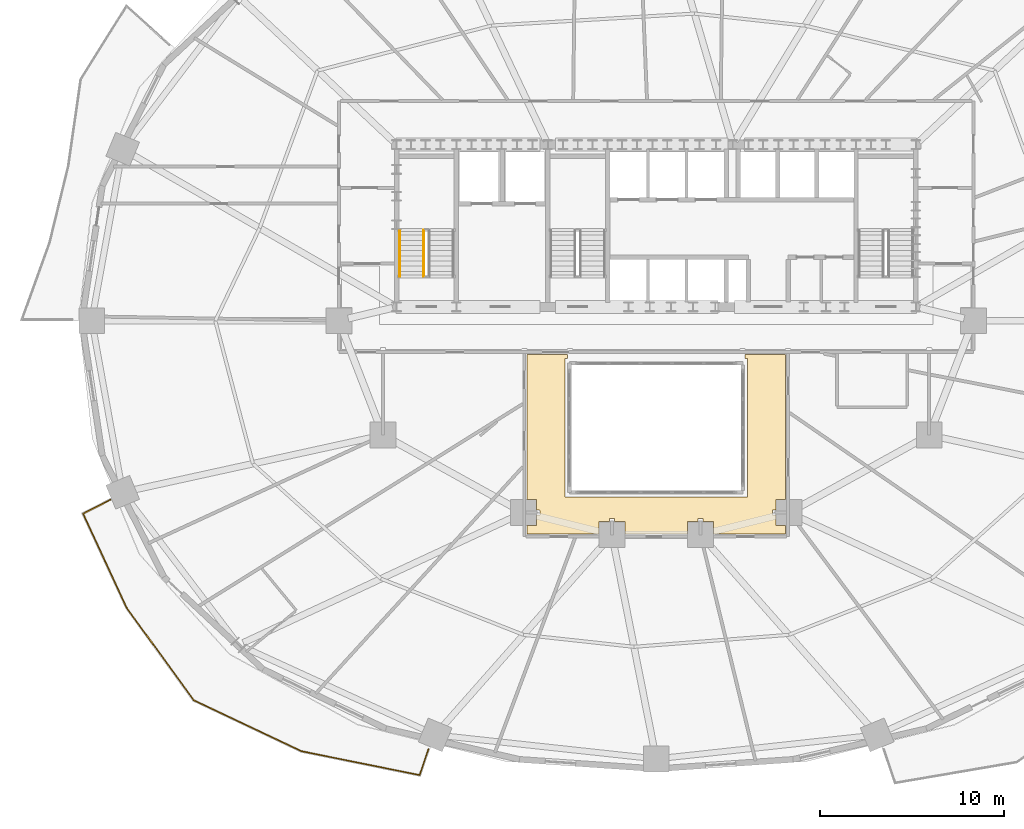
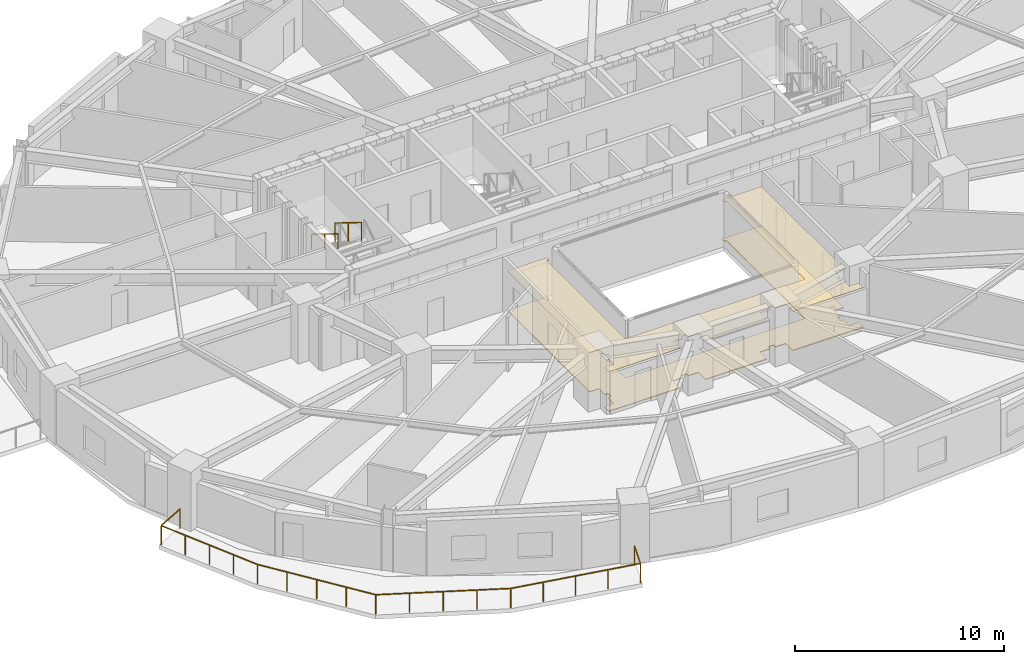
# One storey, part 13 of 16: 3 railings, 2 coverings.
"""IFC4 building model written with IfcOpenShell, lengths in metres."""

import ifcopenshell
import ifcopenshell.guid

model = None  # the IFC model being written
_history = None  # IfcOwnerHistory: only IFC2X3 demands one
_inside = {}  # id of a spatial element -> (the spatial element, [elements in it])
_under = {}  # id of a project, library or spatial element -> (it, [spatial elements below it])
_declared = {}  # id of a project -> (the project, [libraries it declares])
_typed = {}  # id of a type object -> (the type object, [elements of that type])
_made_of = {}  # id of a material, layer set ... -> (it, [elements and type objects made of it])


def new_model(schema):
    """Start an empty IFC model of exactly this schema.

    Asked for "IFC4X3", IfcOpenShell would pick the latest addendum, in which some entities
    have other attributes; the version numbers below select the first issue.
    IFC2X3 requires an IfcOwnerHistory on every rooted entity: one is made here for all.
    """
    global model, _history
    if schema == "IFC4X3":
        model = ifcopenshell.file(schema_version=(4, 3, 0, 0))
    else:
        model = ifcopenshell.file(schema=schema)
    _inside.clear()
    _under.clear()
    _declared.clear()
    _typed.clear()
    _made_of.clear()
    _history = None
    if model.schema == "IFC2X3":
        org = make("IfcOrganization", Name="unknown")
        user = make(
            "IfcPersonAndOrganization",
            ThePerson=make("IfcPerson", FamilyName="unknown"),
            TheOrganization=org,
        )
        app = make(
            "IfcApplication",
            ApplicationDeveloper=org,
            Version="unknown",
            ApplicationFullName="unknown",
            ApplicationIdentifier="unknown",
        )
        _history = make(
            "IfcOwnerHistory",
            OwningUser=user,
            OwningApplication=app,
            ChangeAction="ADDED",
            CreationDate=0,
        )
    return model


def make(cls, **values):
    """One entity of the class cls with the attributes given. An attribute that is None is left unset."""
    return model.create_entity(
        cls, **{name: value for name, value in values.items() if value is not None}
    )


def rooted(cls, **values):
    """An entity with a GlobalId (a new one), such as an element, a storey or a relation."""
    return make(cls, GlobalId=ifcopenshell.guid.new(), OwnerHistory=_history, **values)


def si_unit(unit_type, name, prefix=None):
    """IfcSIUnit, for example si_unit("LENGTHUNIT", "METRE", prefix="MILLI")."""
    return make("IfcSIUnit", UnitType=unit_type, Prefix=prefix, Name=name)


def assignment(units):
    """IfcUnitAssignment: the units of a project."""
    return None if units is None else make("IfcUnitAssignment", Units=units)


def point(xyz):
    """IfcCartesianPoint."""
    return None if xyz is None else make("IfcCartesianPoint", Coordinates=xyz)


def direction(xyz):
    """IfcDirection."""
    return None if xyz is None else make("IfcDirection", DirectionRatios=xyz)


def frame(location, z_axis=None, x_axis=None):
    """IfcAxis2Placement3D, a coordinate frame: its origin and axes. An axis left out is left unset."""
    return make(
        "IfcAxis2Placement3D",
        Location=point(location),
        Axis=direction(z_axis),
        RefDirection=direction(x_axis),
    )


def frame_2d(location, x_axis=None):
    """IfcAxis2Placement2D, a coordinate frame in the plane: its origin and x axis."""
    return make(
        "IfcAxis2Placement2D", Location=point(location), RefDirection=direction(x_axis)
    )


def origin():
    """The frame at (0, 0, 0) with its axes left unset."""
    return frame((0.0, 0.0, 0.0))


def origin_2d():
    """The frame at (0, 0) in the plane with its x axis left unset."""
    return frame_2d((0.0, 0.0))


def place(relative_to, where):
    """IfcLocalPlacement: puts the frame where relative to a parent placement (None: the world)."""
    return make(
        "IfcLocalPlacement", PlacementRelTo=relative_to, RelativePlacement=where
    )


def context(
    kind, dimensions, precision=None, world=None, true_north=None, identifier=None
):
    """IfcGeometricRepresentationContext, for example the 3D "Model" context."""
    return make(
        "IfcGeometricRepresentationContext",
        ContextIdentifier=identifier,
        ContextType=kind,
        CoordinateSpaceDimension=dimensions,
        Precision=precision,
        WorldCoordinateSystem=world,
        TrueNorth=true_north,
    )


def subcontext(parent, identifier, kind, view, scale=None):
    """IfcGeometricRepresentationSubContext, for example "Body" below "Model"."""
    return make(
        "IfcGeometricRepresentationSubContext",
        ContextIdentifier=identifier,
        ContextType=kind,
        ParentContext=parent,
        TargetScale=scale,
        TargetView=view,
    )


def project(units=None, contexts=None):
    """IfcProject with its units and contexts."""
    return rooted(
        "IfcProject",
        Name="project",
        RepresentationContexts=contexts,
        UnitsInContext=assignment(units),
    )


def spatial(cls, under=None, at=None, **own):
    """A site, building, storey or space (cls), placed at a placement, below another one or the project."""
    s = rooted(cls, ObjectPlacement=at, **own)
    if under is not None:
        _under.setdefault(under.id(), (under, []))[1].append(s)
    return s


def polyline(points):
    """IfcPolyline through the points."""
    return make("IfcPolyline", Points=[point(p) for p in points])


def profile(cls, at=None, kind="AREA", **sizes):
    """A parametric profile (cls). Its sizes go by their IFC names, for example OverallWidth=200.0."""
    return make(cls, ProfileType=kind, Position=at, **sizes)


def rectangle(**sizes):
    """IfcRectangleProfileDef."""
    return profile("IfcRectangleProfileDef", **sizes)


def outline(outer, holes=None, kind="AREA"):
    """IfcArbitraryClosedProfileDef: a profile drawn as a closed curve; with holes, ...WithVoids."""
    if holes is None:
        return make("IfcArbitraryClosedProfileDef", ProfileType=kind, OuterCurve=outer)
    return make(
        "IfcArbitraryProfileDefWithVoids",
        ProfileType=kind,
        OuterCurve=outer,
        InnerCurves=holes,
    )


def extrude(swept, where, along, depth):
    """IfcExtrudedAreaSolid: the profile swept, set in the frame where, extruded along a direction by depth."""
    return make(
        "IfcExtrudedAreaSolid",
        SweptArea=swept,
        Position=where,
        ExtrudedDirection=direction(along),
        Depth=depth,
    )


def shape(context_of_items, identifier, shape_type, items):
    """IfcShapeRepresentation: the items that make up one representation, for example the "Body"."""
    return make(
        "IfcShapeRepresentation",
        ContextOfItems=context_of_items,
        RepresentationIdentifier=identifier,
        RepresentationType=shape_type,
        Items=items,
    )


def material(Name=None, Category=None):
    """IfcMaterial."""
    return make("IfcMaterial", Name=Name, Category=Category)


def layer(
    of_material, thickness, ventilated=None, Name=None, Category=None, Priority=None
):
    """IfcMaterialLayer: one layer of a wall or slab, of a material (None: an air gap)."""
    return make(
        "IfcMaterialLayer",
        Material=of_material,
        LayerThickness=thickness,
        IsVentilated=ventilated,
        Name=Name,
        Category=Category,
        Priority=Priority,
    )


def layer_set(layers, Name=None):
    """IfcMaterialLayerSet."""
    return make("IfcMaterialLayerSet", MaterialLayers=layers, LayerSetName=Name)


def made_of(thing, what):
    """Note that an element or type object is made of a material, layer set ...; save() writes the relation."""
    if what is not None:
        _made_of.setdefault(what.id(), (what, []))[1].append(thing)
    return thing


def type_object(cls, material=None, **own):
    """A type object (cls), such as IfcWallType, which elements share."""
    return made_of(rooted(cls, **own), material)


def element(
    cls,
    number,
    at=None,
    inside=None,
    cuts=None,
    type_object=None,
    material=None,
    context=None,
    identifier="Body",
    shape_type=None,
    held_by="IfcProductDefinitionShape",
    body=None,
    shapes=None,
    **own,
):
    """One element of the class cls, such as IfcWall. Its Tag is "e" and its number.

    at: its placement. inside: the storey or other place that contains it. cuts: it is an
    opening in that element (IfcRelVoidsElement). A single representation is given by context,
    identifier, shape_type and body (its items); several are given by shapes. held_by: the class
    of the entity that holds the representations. save() writes the other relations.
    """
    e = rooted(cls, Tag="e%d" % number, ObjectPlacement=at, **own)
    if body is not None:
        shapes = [shape(context, identifier, shape_type, body)]
    if shapes is not None:
        e.Representation = make(held_by, Representations=shapes)
    if inside is not None:
        _inside.setdefault(inside.id(), (inside, []))[1].append(e)
    if cuts is not None:
        rooted(
            "IfcRelVoidsElement", RelatingBuildingElement=cuts, RelatedOpeningElement=e
        )
    if type_object is not None:
        _typed.setdefault(type_object.id(), (type_object, []))[1].append(e)
    return made_of(e, material)


def aggregate(whole, parts):
    """IfcRelAggregates: a whole, such as a stair, and the parts it consists of."""
    return rooted("IfcRelAggregates", RelatingObject=whole, RelatedObjects=parts)


def save(model, path):
    """Write the relations noted so far, then the file.

    IfcRelAggregates (storeys below a building ...), IfcRelContainedInSpatialStructure (elements
    in a storey), IfcRelDefinesByType, IfcRelAssociatesMaterial and IfcRelDeclares: one each for
    every whole, place, type object, material and project.
    """
    for whole, parts in _under.values():
        aggregate(whole, parts)
    for where, things in _inside.values():
        rooted(
            "IfcRelContainedInSpatialStructure",
            RelatedElements=things,
            RelatingStructure=where,
        )
    for kind, things in _typed.values():
        rooted("IfcRelDefinesByType", RelatedObjects=things, RelatingType=kind)
    for what, things in _made_of.values():
        rooted("IfcRelAssociatesMaterial", RelatedObjects=things, RelatingMaterial=what)
    for by, libraries in _declared.values():
        rooted("IfcRelDeclares", RelatingContext=by, RelatedDefinitions=libraries)
    model.write(path)


model = new_model("IFC4")

# Units and contexts
model_context = context("Model", 3, precision=1e-05, world=origin(), true_north=direction((0.0, 1.0)))
body_context = subcontext(model_context, "Body", "Model", "MODEL_VIEW")
ifc_project = project(units=[si_unit("LENGTHUNIT", "METRE"), si_unit("AREAUNIT", "SQUARE_METRE"), si_unit("VOLUMEUNIT", "CUBIC_METRE"), si_unit("PLANEANGLEUNIT", "RADIAN"), si_unit("MASSUNIT", "GRAM", prefix="KILO")], contexts=[model_context])

# Site, building, storey
site_placement = place(None, origin())
site = spatial("IfcSite", under=ifc_project, at=site_placement, CompositionType="ELEMENT")
building_placement = place(site_placement, origin())
building = spatial("IfcBuilding", under=site, at=building_placement, Name="Haldorwick Loom Tower", CompositionType="ELEMENT")
storey_placement = place(building_placement, frame((0.0, 0.0, 68.85009765625)))
storey = spatial("IfcBuildingStorey", under=building, at=storey_placement, Name="L18", CompositionType="ELEMENT", Elevation=68.85009765625)

# Coverings
ifc_material_1 = material(Name="Mineral Fibre Acoustic Ceiling Tile")
ifc_layer_1 = layer(ifc_material_1, 0.054931640625, Name="Mineral Fibre Acoustic Ceiling Tile")
ifc_layer_set_1 = layer_set([ifc_layer_1], Name="Mineral Fibre Acoustic Ceiling Tile")
covering_type_1 = type_object("IfcCoveringType", Name="ARC-COV-CEIL2", PredefinedType="CEILING", material=ifc_layer_set_1)
covering_1_placement = place(storey_placement, frame((0.0, 0.0, 2.281982421875)))
element("IfcCovering", 1, at=covering_1_placement, inside=storey, type_object=covering_type_1, Name="L18 Acoustic Suspended Ceiling 1", PredefinedType="CEILING", context=body_context, shape_type="SweptSolid", body=[
    extrude(outline(polyline([(40.820068359375, 24.159912109375), (40.820068359375, 23.949951171875), (40.949951171875, 23.949951171875), (40.949951171875, 16.449951171875), (31.050048828125, 16.449951171875), (31.050048828125, 23.949951171875), (31.179931640625, 23.949951171875), (31.179931640625, 24.159912109375), (28.989990234375, 24.159912109375), (28.989990234375, 16.30810546875), (29.508056640625, 16.30810546875), (29.508056640625, 15.739990234375), (29.669921875, 15.739990234375), (29.672119140625, 15.739990234375), (29.673828125, 15.739501953125), (29.67578125, 15.739013671875), (29.677734375, 15.738525390625), (29.679443359375, 15.737548828125), (29.68115234375, 15.736572265625), (29.6826171875, 15.735595703125), (29.68408203125, 15.734130859375), (29.685546875, 15.732666015625), (29.6865234375, 15.731201171875), (29.6875, 15.7294921875), (29.6884765625, 15.727783203125), (29.689208984375, 15.725830078125), (29.689697265625, 15.723876953125), (29.68994140625, 15.721923828125), (29.68994140625, 15.719970703125), (29.68994140625, 15.47998046875), (29.68994140625, 15.47802734375), (29.689697265625, 15.47607421875), (29.689208984375, 15.47412109375), (29.6884765625, 15.472412109375), (29.6875, 15.470703125), (29.6865234375, 15.468994140625), (29.685546875, 15.46728515625), (29.68408203125, 15.4658203125), (29.6826171875, 15.464599609375), (29.68115234375, 15.46337890625), (29.679443359375, 15.46240234375), (29.677734375, 15.46142578125), (29.67578125, 15.4609375), (29.673828125, 15.46044921875), (29.672119140625, 15.460205078125), (29.669921875, 15.4599609375), (29.508056640625, 15.4599609375), (29.508056640625, 14.89208984375), (28.989990234375, 14.89208984375), (28.989990234375, 14.43994140625), (32.89208984375, 14.43994140625), (32.89208984375, 15.10791015625), (33.4599609375, 15.10791015625), (33.4599609375, 15.27001953125), (33.460205078125, 15.27197265625), (33.46044921875, 15.27392578125), (33.4609375, 15.27587890625), (33.46142578125, 15.277587890625), (33.46240234375, 15.279296875), (33.46337890625, 15.281005859375), (33.464599609375, 15.28271484375), (33.4658203125, 15.2841796875), (33.46728515625, 15.285400390625), (33.468994140625, 15.28662109375), (33.470703125, 15.28759765625), (33.472412109375, 15.28857421875), (33.47412109375, 15.2890625), (33.47607421875, 15.28955078125), (33.47802734375, 15.289794921875), (33.47998046875, 15.2900390625), (33.719970703125, 15.2900390625), (33.721923828125, 15.289794921875), (33.723876953125, 15.28955078125), (33.725830078125, 15.2890625), (33.727783203125, 15.28857421875), (33.7294921875, 15.28759765625), (33.731201171875, 15.28662109375), (33.732666015625, 15.285400390625), (33.734130859375, 15.2841796875), (33.735595703125, 15.28271484375), (33.736572265625, 15.281005859375), (33.737548828125, 15.279296875), (33.738525390625, 15.277587890625), (33.739013671875, 15.27587890625), (33.739501953125, 15.27392578125), (33.739990234375, 15.27197265625), (33.739990234375, 15.27001953125), (33.739990234375, 15.10791015625), (34.30810546875, 15.10791015625), (34.30810546875, 14.43994140625), (37.69189453125, 14.43994140625), (37.69189453125, 15.10791015625), (38.260009765625, 15.10791015625), (38.260009765625, 15.27001953125), (38.260009765625, 15.27197265625), (38.260498046875, 15.27392578125), (38.260986328125, 15.27587890625), (38.261474609375, 15.277587890625), (38.262451171875, 15.279296875), (38.263427734375, 15.281005859375), (38.264404296875, 15.28271484375), (38.265869140625, 15.2841796875), (38.267333984375, 15.285400390625), (38.268798828125, 15.28662109375), (38.2705078125, 15.28759765625), (38.272216796875, 15.28857421875), (38.274169921875, 15.2890625), (38.276123046875, 15.28955078125), (38.278076171875, 15.289794921875), (38.280029296875, 15.2900390625), (38.52001953125, 15.2900390625), (38.52197265625, 15.289794921875), (38.52392578125, 15.28955078125), (38.52587890625, 15.2890625), (38.527587890625, 15.28857421875), (38.529296875, 15.28759765625), (38.531005859375, 15.28662109375), (38.53271484375, 15.285400390625), (38.5341796875, 15.2841796875), (38.535400390625, 15.28271484375), (38.53662109375, 15.281005859375), (38.53759765625, 15.279296875), (38.53857421875, 15.277587890625), (38.5390625, 15.27587890625), (38.53955078125, 15.27392578125), (38.539794921875, 15.27197265625), (38.5400390625, 15.27001953125), (38.5400390625, 15.10791015625), (39.10791015625, 15.10791015625), (39.10791015625, 14.43994140625), (43.010009765625, 14.43994140625), (43.010009765625, 14.89208984375), (42.491943359375, 14.89208984375), (42.491943359375, 15.4599609375), (42.330078125, 15.4599609375), (42.327880859375, 15.460205078125), (42.326171875, 15.46044921875), (42.32421875, 15.4609375), (42.322265625, 15.46142578125), (42.320556640625, 15.46240234375), (42.31884765625, 15.46337890625), (42.3173828125, 15.464599609375), (42.31591796875, 15.4658203125), (42.314453125, 15.46728515625), (42.3134765625, 15.468994140625), (42.3125, 15.470703125), (42.3115234375, 15.472412109375), (42.310791015625, 15.47412109375), (42.310302734375, 15.47607421875), (42.31005859375, 15.47802734375), (42.31005859375, 15.47998046875), (42.31005859375, 15.719970703125), (42.31005859375, 15.721923828125), (42.310302734375, 15.723876953125), (42.310791015625, 15.725830078125), (42.3115234375, 15.727783203125), (42.3125, 15.7294921875), (42.3134765625, 15.731201171875), (42.314453125, 15.732666015625), (42.31591796875, 15.734130859375), (42.3173828125, 15.735595703125), (42.31884765625, 15.736572265625), (42.320556640625, 15.737548828125), (42.322265625, 15.738525390625), (42.32421875, 15.739013671875), (42.326171875, 15.739501953125), (42.327880859375, 15.739990234375), (42.330078125, 15.739990234375), (42.491943359375, 15.739990234375), (42.491943359375, 16.30810546875), (43.010009765625, 16.30810546875), (43.010009765625, 24.159912109375), (40.820068359375, 24.159912109375)])), origin(), (0.0, 0.0, 1.0), 0.054931640625),
])
ifc_material_2 = material(Name="Polished Aggregate Terrazzo Finish")
ifc_layer_2 = layer(ifc_material_2, 0.044921875, Name="Polished Aggregate Terrazzo Finish")
ifc_layer_set_2 = layer_set([ifc_layer_2], Name="Polished Aggregate Terrazzo Finish")
covering_type_2 = type_object("IfcCoveringType", Name="ARC-COV-FLOOR2", PredefinedType="FLOORING", material=ifc_layer_set_2)
covering_2_placement = place(storey_placement, origin())
element("IfcCovering", 2, at=covering_2_placement, inside=storey, type_object=covering_type_2, Name="L18 Floor Finish 1", PredefinedType="FLOORING", context=body_context, shape_type="SweptSolid", body=[
    extrude(outline(polyline([(40.820068359375, 24.159912109375), (40.820068359375, 23.949951171875), (40.949951171875, 23.949951171875), (40.949951171875, 16.449951171875), (31.050048828125, 16.449951171875), (31.050048828125, 23.949951171875), (31.179931640625, 23.949951171875), (31.179931640625, 24.159912109375), (28.989990234375, 24.159912109375), (28.989990234375, 16.30810546875), (29.508056640625, 16.30810546875), (29.508056640625, 15.739990234375), (29.669921875, 15.739990234375), (29.672119140625, 15.739990234375), (29.673828125, 15.739501953125), (29.67578125, 15.739013671875), (29.677734375, 15.738525390625), (29.679443359375, 15.737548828125), (29.68115234375, 15.736572265625), (29.6826171875, 15.735595703125), (29.68408203125, 15.734130859375), (29.685546875, 15.732666015625), (29.6865234375, 15.731201171875), (29.6875, 15.7294921875), (29.6884765625, 15.727783203125), (29.689208984375, 15.725830078125), (29.689697265625, 15.723876953125), (29.68994140625, 15.721923828125), (29.68994140625, 15.719970703125), (29.68994140625, 15.47998046875), (29.68994140625, 15.47802734375), (29.689697265625, 15.47607421875), (29.689208984375, 15.47412109375), (29.6884765625, 15.472412109375), (29.6875, 15.470703125), (29.6865234375, 15.468994140625), (29.685546875, 15.46728515625), (29.68408203125, 15.4658203125), (29.6826171875, 15.464599609375), (29.68115234375, 15.46337890625), (29.679443359375, 15.46240234375), (29.677734375, 15.46142578125), (29.67578125, 15.4609375), (29.673828125, 15.46044921875), (29.672119140625, 15.460205078125), (29.669921875, 15.4599609375), (29.508056640625, 15.4599609375), (29.508056640625, 14.89208984375), (28.989990234375, 14.89208984375), (28.989990234375, 14.43994140625), (32.89208984375, 14.43994140625), (32.89208984375, 15.10791015625), (33.4599609375, 15.10791015625), (33.4599609375, 15.27001953125), (33.460205078125, 15.27197265625), (33.46044921875, 15.27392578125), (33.4609375, 15.27587890625), (33.46142578125, 15.277587890625), (33.46240234375, 15.279296875), (33.46337890625, 15.281005859375), (33.464599609375, 15.28271484375), (33.4658203125, 15.2841796875), (33.46728515625, 15.285400390625), (33.468994140625, 15.28662109375), (33.470703125, 15.28759765625), (33.472412109375, 15.28857421875), (33.47412109375, 15.2890625), (33.47607421875, 15.28955078125), (33.47802734375, 15.289794921875), (33.47998046875, 15.2900390625), (33.719970703125, 15.2900390625), (33.721923828125, 15.289794921875), (33.723876953125, 15.28955078125), (33.725830078125, 15.2890625), (33.727783203125, 15.28857421875), (33.7294921875, 15.28759765625), (33.731201171875, 15.28662109375), (33.732666015625, 15.285400390625), (33.734130859375, 15.2841796875), (33.735595703125, 15.28271484375), (33.736572265625, 15.281005859375), (33.737548828125, 15.279296875), (33.738525390625, 15.277587890625), (33.739013671875, 15.27587890625), (33.739501953125, 15.27392578125), (33.739990234375, 15.27197265625), (33.739990234375, 15.27001953125), (33.739990234375, 15.10791015625), (34.30810546875, 15.10791015625), (34.30810546875, 14.43994140625), (37.69189453125, 14.43994140625), (37.69189453125, 15.10791015625), (38.260009765625, 15.10791015625), (38.260009765625, 15.27001953125), (38.260009765625, 15.27197265625), (38.260498046875, 15.27392578125), (38.260986328125, 15.27587890625), (38.261474609375, 15.277587890625), (38.262451171875, 15.279296875), (38.263427734375, 15.281005859375), (38.264404296875, 15.28271484375), (38.265869140625, 15.2841796875), (38.267333984375, 15.285400390625), (38.268798828125, 15.28662109375), (38.2705078125, 15.28759765625), (38.272216796875, 15.28857421875), (38.274169921875, 15.2890625), (38.276123046875, 15.28955078125), (38.278076171875, 15.289794921875), (38.280029296875, 15.2900390625), (38.52001953125, 15.2900390625), (38.52197265625, 15.289794921875), (38.52392578125, 15.28955078125), (38.52587890625, 15.2890625), (38.527587890625, 15.28857421875), (38.529296875, 15.28759765625), (38.531005859375, 15.28662109375), (38.53271484375, 15.285400390625), (38.5341796875, 15.2841796875), (38.535400390625, 15.28271484375), (38.53662109375, 15.281005859375), (38.53759765625, 15.279296875), (38.53857421875, 15.277587890625), (38.5390625, 15.27587890625), (38.53955078125, 15.27392578125), (38.539794921875, 15.27197265625), (38.5400390625, 15.27001953125), (38.5400390625, 15.10791015625), (39.10791015625, 15.10791015625), (39.10791015625, 14.43994140625), (43.010009765625, 14.43994140625), (43.010009765625, 14.89208984375), (42.491943359375, 14.89208984375), (42.491943359375, 15.4599609375), (42.330078125, 15.4599609375), (42.327880859375, 15.460205078125), (42.326171875, 15.46044921875), (42.32421875, 15.4609375), (42.322265625, 15.46142578125), (42.320556640625, 15.46240234375), (42.31884765625, 15.46337890625), (42.3173828125, 15.464599609375), (42.31591796875, 15.4658203125), (42.314453125, 15.46728515625), (42.3134765625, 15.468994140625), (42.3125, 15.470703125), (42.3115234375, 15.472412109375), (42.310791015625, 15.47412109375), (42.310302734375, 15.47607421875), (42.31005859375, 15.47802734375), (42.31005859375, 15.47998046875), (42.31005859375, 15.719970703125), (42.31005859375, 15.721923828125), (42.310302734375, 15.723876953125), (42.310791015625, 15.725830078125), (42.3115234375, 15.727783203125), (42.3125, 15.7294921875), (42.3134765625, 15.731201171875), (42.314453125, 15.732666015625), (42.31591796875, 15.734130859375), (42.3173828125, 15.735595703125), (42.31884765625, 15.736572265625), (42.320556640625, 15.737548828125), (42.322265625, 15.738525390625), (42.32421875, 15.739013671875), (42.326171875, 15.739501953125), (42.327880859375, 15.739990234375), (42.330078125, 15.739990234375), (42.491943359375, 15.739990234375), (42.491943359375, 16.30810546875), (43.010009765625, 16.30810546875), (43.010009765625, 24.159912109375), (40.820068359375, 24.159912109375)])), origin(), (0.0, 0.0, 1.0), 0.044921875),
])

# Railings
ifc_material_3 = material(Name="Galvanized Steel CSA G40.21 350W", Category="steel")
railing_type_1 = type_object("IfcRailingType", Name="ARC-RLG-BAL115", PredefinedType="BALUSTRADE", material=ifc_material_3)
railing_1_placement = place(storey_placement, frame((23.660400390625, 2.79248046875, 0.0)))
element("IfcRailing", 3, at=railing_1_placement, inside=storey, type_object=railing_type_1, Name="L18 Outdoor Terrace Guardrail SLB-L18-BAL_SW-1", PredefinedType="BALUSTRADE", context=body_context, shape_type="SweptSolid", body=[
    extrude(rectangle(XDim=0.048095703125, YDim=0.048095703125, at=origin_2d()), frame((0.0, 0.0, 1.1259765625), z_axis=(-0.32290577032, -0.946431119255, 0.0), x_axis=(0.946431119255, -0.32290577032, 0.0)), (0.0, 0.0, 1.0), 1.500732421875),
    extrude(rectangle(XDim=0.048095703125, YDim=0.048095703125, at=origin_2d()), frame((-0.484619140625, -1.42041015625, 1.1259765625), z_axis=(-0.980139965522, 0.198306953954, 0.0), x_axis=(-0.198306953954, -0.980139965522, 0.0)), (0.0, 0.0, 1.0), 6.534912109375),
    extrude(rectangle(XDim=0.048095703125, YDim=0.048095703125, at=origin_2d()), frame((-6.8896484375, -0.12451171875, 1.1259765625), z_axis=(-0.903760901088, 0.428037654494, 0.0), x_axis=(-0.428037654494, -0.903760901088, 0.0)), (0.0, 0.0, 1.0), 6.46630859375),
    extrude(rectangle(XDim=0.048095703125, YDim=0.048095703125, at=origin_2d()), frame((-12.733642578125, 2.643310546875, 1.1259765625), z_axis=(-0.586900247166, 0.809659249238, 0.0), x_axis=(-0.809659249238, -0.586900247166, 0.0)), (0.0, 0.0, 1.0), 6.18017578125),
    extrude(rectangle(XDim=0.048095703125, YDim=0.048095703125, at=origin_2d()), frame((-16.36083984375, 7.647216796875, 1.1259765625), z_axis=(-0.420617836847, 0.907237915503, 0.0), x_axis=(-0.907237915503, -0.420617836847, 0.0)), (0.0, 0.0, 1.0), 5.626220703125),
    extrude(rectangle(XDim=0.048095703125, YDim=0.048095703125, at=origin_2d()), frame((-18.727294921875, 12.75146484375, 1.1259765625), z_axis=(0.891661262254, 0.452703206744, 0.0), x_axis=(-0.452703206744, 0.891661262254, 0.0)), (0.0, 0.0, 1.0), 1.65185546875),
    extrude(rectangle(XDim=0.0419921875, YDim=0.0419921875, at=origin_2d()), origin(), (0.0, 0.0, 1.0), 1.101806640625),
    extrude(rectangle(XDim=0.0419921875, YDim=0.0419921875, at=origin_2d()), frame((-0.484619140625, -1.42041015625, 0.0)), (0.0, 0.0, 1.0), 1.101806640625),
    extrude(rectangle(XDim=0.0419921875, YDim=0.0419921875, at=origin_2d()), frame((-2.0859375, -1.096435546875, 0.0)), (0.0, 0.0, 1.0), 1.101806640625),
    extrude(rectangle(XDim=0.0419921875, YDim=0.0419921875, at=origin_2d()), frame((-3.68701171875, -0.7724609375, 0.0)), (0.0, 0.0, 1.0), 1.101806640625),
    extrude(rectangle(XDim=0.0419921875, YDim=0.0419921875, at=origin_2d()), frame((-5.288330078125, -0.448486328125, 0.0)), (0.0, 0.0, 1.0), 1.101806640625),
    extrude(rectangle(XDim=0.0419921875, YDim=0.0419921875, at=origin_2d()), frame((-6.8896484375, -0.12451171875, 0.0)), (0.0, 0.0, 1.0), 1.101806640625),
    extrude(rectangle(XDim=0.0419921875, YDim=0.0419921875, at=origin_2d()), frame((-8.3505859375, 0.5673828125, 0.0)), (0.0, 0.0, 1.0), 1.101806640625),
    extrude(rectangle(XDim=0.0419921875, YDim=0.0419921875, at=origin_2d()), frame((-9.8115234375, 1.25927734375, 0.0)), (0.0, 0.0, 1.0), 1.101806640625),
    extrude(rectangle(XDim=0.0419921875, YDim=0.0419921875, at=origin_2d()), frame((-11.272705078125, 1.951416015625, 0.0)), (0.0, 0.0, 1.0), 1.101806640625),
    extrude(rectangle(XDim=0.0419921875, YDim=0.0419921875, at=origin_2d()), frame((-12.733642578125, 2.643310546875, 0.0)), (0.0, 0.0, 1.0), 1.101806640625),
    extrude(rectangle(XDim=0.0419921875, YDim=0.0419921875, at=origin_2d()), frame((-13.640380859375, 3.894287109375, 0.0)), (0.0, 0.0, 1.0), 1.101806640625),
    extrude(rectangle(XDim=0.0419921875, YDim=0.0419921875, at=origin_2d()), frame((-14.54736328125, 5.145263671875, 0.0)), (0.0, 0.0, 1.0), 1.101806640625),
    extrude(rectangle(XDim=0.0419921875, YDim=0.0419921875, at=origin_2d()), frame((-15.4541015625, 6.396240234375, 0.0)), (0.0, 0.0, 1.0), 1.101806640625),
    extrude(rectangle(XDim=0.0419921875, YDim=0.0419921875, at=origin_2d()), frame((-16.36083984375, 7.647216796875, 0.0)), (0.0, 0.0, 1.0), 1.101806640625),
    extrude(rectangle(XDim=0.0419921875, YDim=0.0419921875, at=origin_2d()), frame((-16.952392578125, 8.92333984375, 0.0)), (0.0, 0.0, 1.0), 1.101806640625),
    extrude(rectangle(XDim=0.0419921875, YDim=0.0419921875, at=origin_2d()), frame((-17.5439453125, 10.19921875, 0.0)), (0.0, 0.0, 1.0), 1.101806640625),
    extrude(rectangle(XDim=0.0419921875, YDim=0.0419921875, at=origin_2d()), frame((-18.1357421875, 11.475341796875, 0.0)), (0.0, 0.0, 1.0), 1.101806640625),
    extrude(rectangle(XDim=0.0419921875, YDim=0.0419921875, at=origin_2d()), frame((-18.727294921875, 12.75146484375, 0.0)), (0.0, 0.0, 1.0), 1.101806640625),
    extrude(rectangle(XDim=0.0419921875, YDim=0.0419921875, at=origin_2d()), frame((-17.25439453125, 13.499267578125, 0.0)), (0.0, 0.0, 1.0), 1.101806640625),
])
ifc_material_4 = material(Name="Steel CSA G40.21 350W", Category="steel")
railing_type_2 = type_object("IfcRailingType", Name="ARC-RLG-GUARD112", PredefinedType="GUARDRAIL", material=ifc_material_4)
railing_2_placement = place(storey_placement, frame((23.39990234375, 30.919921875, 1.8974609375)))
element("IfcRailing", 4, at=railing_2_placement, inside=storey, type_object=railing_type_2, Name="L18 ST-01 stair guard 3", PredefinedType="GUARDRAIL", context=body_context, shape_type="SweptSolid", body=[
    extrude(rectangle(XDim=0.048095703125, YDim=0.048095703125, at=origin_2d()), frame((0.0, 0.0, 1.076171875), z_axis=(0.0, -0.851400495292, 0.524516154772), x_axis=(1.0, 0.0, 0.0)), (0.0, 0.0, 1.0), 2.9599609375),
    extrude(rectangle(XDim=0.0419921875, YDim=0.0419921875, at=origin_2d()), origin(), (0.0, 0.0, 1.0), 1.052001953125),
    extrude(rectangle(XDim=0.0419921875, YDim=0.0419921875, at=origin_2d()), frame((0.0, -1.260009765625, 0.7763671875)), (0.0, 0.0, 1.0), 1.052001953125),
    extrude(rectangle(XDim=0.0419921875, YDim=0.0419921875, at=origin_2d()), frame((0.0, -2.52001953125, 1.552490234375)), (0.0, 0.0, 1.0), 1.052001953125),
])
railing_type_3 = type_object("IfcRailingType", Name="ARC-RLG-HAND092", PredefinedType="HANDRAIL", material=ifc_material_4)
railing_3_placement = place(storey_placement, frame((22.10009765625, 30.919921875, 1.8974609375)))
element("IfcRailing", 5, at=railing_3_placement, inside=storey, type_object=railing_type_3, Name="L18 ST-01 stair handrail 2", PredefinedType="HANDRAIL", context=body_context, shape_type="SweptSolid", body=[
    extrude(rectangle(XDim=0.048095703125, YDim=0.048095703125, at=origin_2d()), frame((0.0, 0.0, 0.8759765625), z_axis=(0.0, -0.851400495292, 0.524516154772), x_axis=(1.0, 0.0, 0.0)), (0.0, 0.0, 1.0), 2.9599609375),
    extrude(rectangle(XDim=0.0419921875, YDim=0.0419921875, at=origin_2d()), origin(), (0.0, 0.0, 1.0), 0.851806640625),
    extrude(rectangle(XDim=0.0419921875, YDim=0.0419921875, at=origin_2d()), frame((0.0, -1.260009765625, 0.7763671875)), (0.0, 0.0, 1.0), 0.851806640625),
    extrude(rectangle(XDim=0.0419921875, YDim=0.0419921875, at=origin_2d()), frame((0.0, -2.52001953125, 1.552490234375)), (0.0, 0.0, 1.0), 0.851806640625),
])

save(model, "model.ifc")
